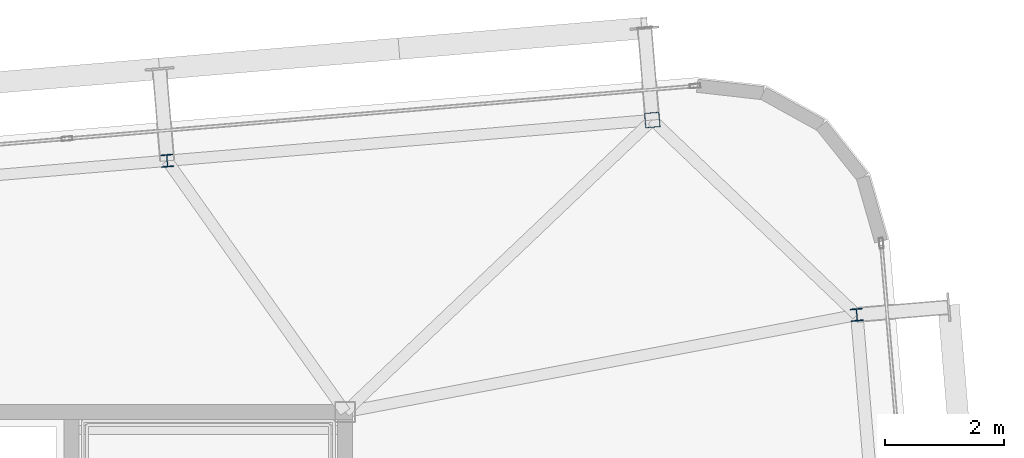
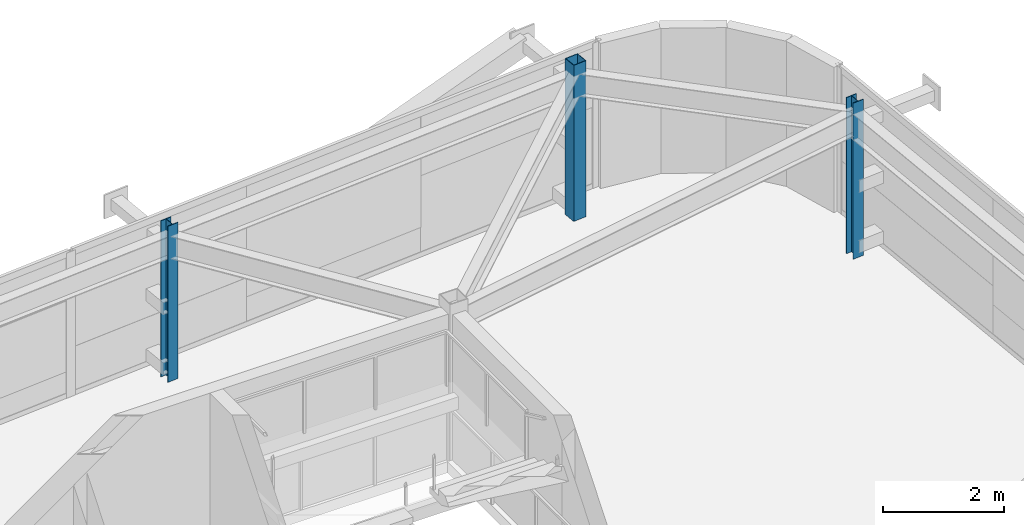
# One storey, part 6 of 37: 3 columns.
"""IFC4 building model written with IfcOpenShell, lengths in metres."""

from ifc_helpers import new_model, si_unit, direction, frame, origin, origin_2d, place, context, subcontext, project, spatial, hollow_rectangle, i_section, extrude, source, transform, mapped, material, material_profile, profile_set, type_object, element, save


model = new_model("IFC4")

# Units and contexts
model_context = context("Model", 3, precision=1e-05, world=origin(), true_north=direction((0.0, 1.0)))
body_context = subcontext(model_context, "Body", "Model", "MODEL_VIEW")
ifc_project = project(units=[si_unit("LENGTHUNIT", "METRE"), si_unit("AREAUNIT", "SQUARE_METRE"), si_unit("VOLUMEUNIT", "CUBIC_METRE"), si_unit("PLANEANGLEUNIT", "RADIAN"), si_unit("MASSUNIT", "GRAM", prefix="KILO")], contexts=[model_context])

# Site, building, storey
site_placement = place(None, origin())
site = spatial("IfcSite", under=ifc_project, at=site_placement, CompositionType="ELEMENT")
building_placement = place(site_placement, origin())
building = spatial("IfcBuilding", under=site, at=building_placement, Name="Taldren Reach Tower", CompositionType="ELEMENT")
storey_placement = place(building_placement, frame((0.0, 0.0, 172.550048828125)))
storey = spatial("IfcBuildingStorey", under=building, at=storey_placement, Name="L52", CompositionType="ELEMENT", Elevation=172.550048828125)

# Columns
ifc_material_1 = material(Name="Steel Gr 350 (C350L0)", Category="steel")
ifc_material_profile_1 = material_profile(ifc_material_1, hollow_rectangle(XDim=0.25, YDim=0.25, WallThickness=0.010009765625, at=origin_2d()), Name="250x250x10.0SHS")
ifc_profile_set_1 = profile_set([ifc_material_profile_1], Name="Steel Gr 350 (C350L0)")
column_type_1 = type_object("IfcColumnType", Name="COL-SHS250", PredefinedType="COLUMN", material=ifc_profile_set_1)
shared_shape_1 = source(origin(), body_context, "Body", "SweptSolid", [
    extrude(hollow_rectangle(XDim=0.25, YDim=0.25, WallThickness=0.010009765625, at=origin_2d()), origin(), (0.0, 0.0, 1.0), 3.14990234375),
])
column_placement = place(storey_placement, frame((56.160400390625, 36.906005859375, 0.0), z_axis=(0.0, 0.0, 1.0), x_axis=(0.99649285925, 0.083677843332, 0.0)))
element("IfcColumn", 1, at=column_placement, inside=storey, type_object=column_type_1, Name="Block B4 perimeter column N6 L52", PredefinedType="COLUMN", context=body_context, shape_type="MappedRepresentation", body=[
    mapped(shared_shape_1, transform((0.0, 0.0, 0.0), scale=1.0)),
])
ifc_material_2 = material(Name="Steel Gr 350 (350PLUS)", Category="steel")
ifc_material_profile_2 = material_profile(ifc_material_2, i_section(OverallWidth=0.205078125, OverallDepth=0.2099609375, WebThickness=0.00927734375, FlangeThickness=0.01416015625, at=origin_2d()), Name="200UC59.5")
ifc_profile_set_2 = profile_set([ifc_material_profile_2], Name="Steel Gr 350 (350PLUS)")
column_type_2 = type_object("IfcColumnType", Name="COL-UC200", PredefinedType="COLUMN", material=ifc_profile_set_2)
shared_shape_2 = source(origin(), body_context, "Body", "SweptSolid", [
    extrude(i_section(OverallWidth=0.205078125, OverallDepth=0.2099609375, WebThickness=0.00927734375, FlangeThickness=0.01416015625, at=origin_2d()), origin(), (0.0, 0.0, 1.0), 3.14990234375),
])
for number, where, z_axis, x_axis, name in (
    (2, (48.009033203125, 36.221435546875, 0.0), (0.0, 0.0, 1.0), (0.99649285925, 0.083677843332, 0.0), "Block B4 perimeter column N5 L52"),
    (3, (59.596435546875, 33.632080078125, 0.0), (0.0, 0.0, 1.0), (0.99649285925, 0.083677843332, 0.0), "Block B4 perimeter column E3 L52"),
):
    element("IfcColumn", number, at=place(storey_placement, frame(where, z_axis=z_axis, x_axis=x_axis)), inside=storey, type_object=column_type_2, Name=name, PredefinedType="COLUMN", context=body_context, shape_type="MappedRepresentation", body=[
        mapped(shared_shape_2, transform((0.0, 0.0, 0.0), scale=1.0)),
    ])

save(model, "model.ifc")
